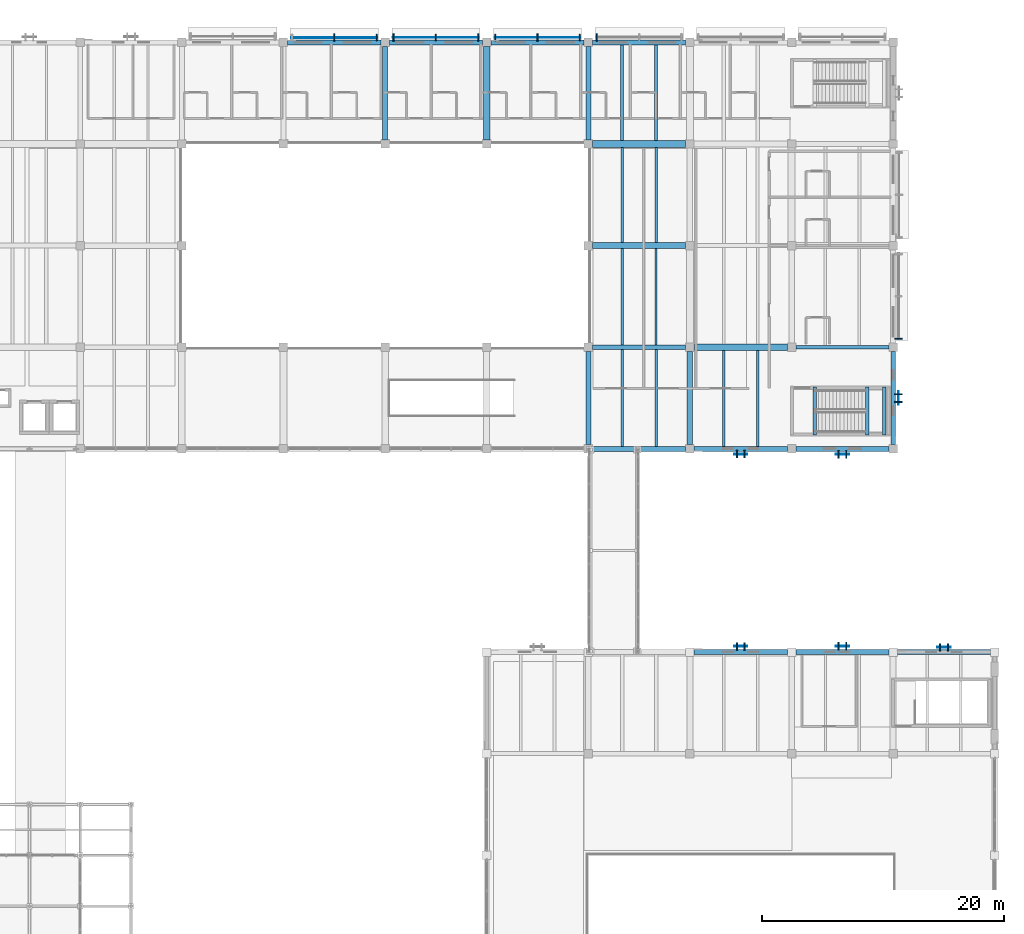
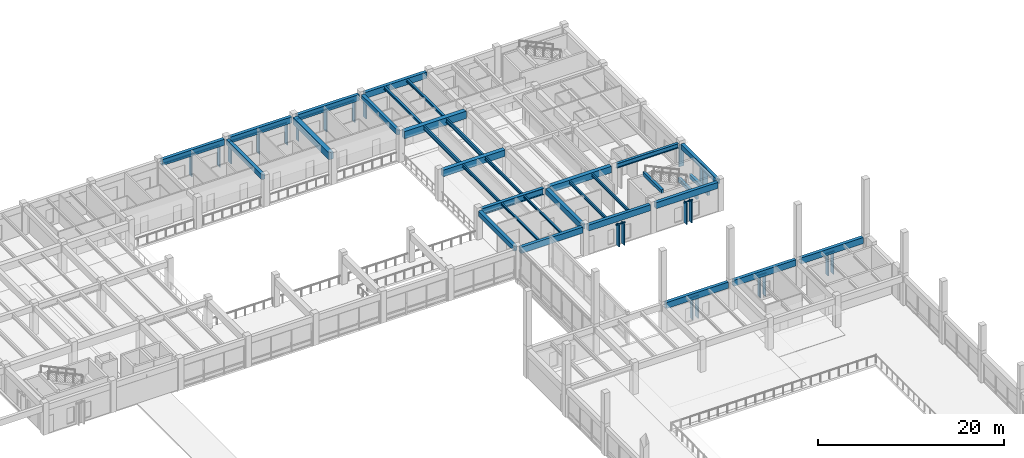
# One storey, part 59 of 132: 34 beams, 31 members, 11 elements without a shape of their own.
"""IFC4 building model written with IfcOpenShell, lengths in metres."""

from ifc_helpers import new_model, si_unit, direction, frame, origin, origin_2d, place, context, subcontext, project, spatial, rectangle, i_section, extrude, material, material_profile, profile_set, type_object, element, aggregate, save


model = new_model("IFC4")

# Units and contexts
model_context = context("Model", 3, precision=1e-05, world=origin(), true_north=direction((0.0, 1.0)))
body_context = subcontext(model_context, "Body", "Model", "MODEL_VIEW")
ifc_project = project(units=[si_unit("LENGTHUNIT", "METRE"), si_unit("AREAUNIT", "SQUARE_METRE"), si_unit("VOLUMEUNIT", "CUBIC_METRE"), si_unit("PLANEANGLEUNIT", "RADIAN"), si_unit("MASSUNIT", "GRAM", prefix="KILO")], contexts=[model_context])

# Site, building, storey
site_placement = place(None, origin())
site = spatial("IfcSite", under=ifc_project, at=site_placement, CompositionType="ELEMENT")
building_placement = place(site_placement, origin())
building = spatial("IfcBuilding", under=site, at=building_placement, Name="Cumbredor Promenade Congress Hotel", CompositionType="ELEMENT")
storey_placement = place(building_placement, frame((0.0, 0.0, 7.56005859375)))
storey = spatial("IfcBuildingStorey", under=building, at=storey_placement, Name="L02", CompositionType="ELEMENT", Elevation=7.56005859375)

# Beams
ifc_material_1 = material(Name="Concrete C40/50", Category="concrete")
ifc_material_profile_1 = material_profile(ifc_material_1, rectangle(XDim=0.39990234375, YDim=0.64990234375, at=origin_2d()), Name="RC BEAM 400x650")
ifc_profile_set_1 = profile_set([ifc_material_profile_1], Name="Concrete C40/50")
beam_type_1 = type_object("IfcBeamType", Name="BM-RC-400x650", PredefinedType="BEAM", material=ifc_profile_set_1)
for number, where, z_axis, x_axis, name in (
    (1, (134.39990234375, 109.550048828125, 3.474853515625), (0.0, 1.0, 0.0), (-1.0, 0.0, 0.0), "L03 Y-Grid Beam 184"),
    (2, (151.199951171875, 84.35009765625, 3.474853515625), (0.0, 1.0, 0.0), (-1.0, 0.0, 0.0), "L03 Y-Grid Beam 208"),
    (3, (151.199951171875, 109.550048828125, 3.474853515625), (0.0, 1.0, 0.0), (-1.0, 0.0, 0.0), "L03 Y-Grid Beam 212"),
    (4, (176.39990234375, 84.35009765625, 3.474853515625), (0.0, 1.0, 0.0), (-1.0, 0.0, 0.0), "L03 Y-Grid Beam 248"),
):
    element("IfcBeam", number, at=place(storey_placement, frame(where, z_axis=z_axis, x_axis=x_axis)), inside=storey, type_object=beam_type_1, Name=name, PredefinedType="BEAM", context=body_context, shape_type="SweptSolid", body=[
        extrude(rectangle(XDim=0.39990234375, YDim=0.64990234375, at=origin_2d()), origin(), (0.0, 0.0, 1.0), 7.699951171875),
    ])
ifc_material_profile_2 = material_profile(ifc_material_1, rectangle(XDim=0.449951171875, YDim=0.75, at=origin_2d()), Name="RC BEAM 450x750")
ifc_profile_set_2 = profile_set([ifc_material_profile_2], Name="Concrete C40/50")
beam_type_2 = type_object("IfcBeamType", Name="BM-RC-450x750", PredefinedType="BEAM", material=ifc_profile_set_2)
beam_1_placement = place(storey_placement, frame((159.60009765625, 84.35009765625, 3.425048828125), z_axis=(0.0, 1.0, 0.0), x_axis=(-1.0, 0.0, 0.0)))
element("IfcBeam", 5, at=beam_1_placement, inside=storey, type_object=beam_type_2, Name="L03 Y-Grid Beam 221", PredefinedType="BEAM", context=body_context, shape_type="SweptSolid", body=[
    extrude(rectangle(XDim=0.449951171875, YDim=0.75, at=origin_2d()), origin(), (0.0, 0.0, 1.0), 7.699951171875),
])
ifc_material_profile_3 = material_profile(ifc_material_1, rectangle(XDim=0.5, YDim=0.85009765625, at=origin_2d()), Name="RC BEAM 500x850")
ifc_profile_set_3 = profile_set([ifc_material_profile_3], Name="Concrete C40/50")
beam_type_3 = type_object("IfcBeamType", Name="BM-RC-500x850", PredefinedType="BEAM", material=ifc_profile_set_3)
for number, where, z_axis, x_axis, name in (
    (6, (151.550048828125, 100.800048828125, 3.375), (1.0, 0.0, 0.0), (0.0, 1.0, 0.0), "L03 X-Grid Beam 210"),
    (7, (159.949951171875, 92.39990234375, 3.375), (1.0, 0.0, 0.0), (0.0, 1.0, 0.0), "L03 X-Grid Beam 222"),
):
    element("IfcBeam", number, at=place(storey_placement, frame(where, z_axis=z_axis, x_axis=x_axis)), inside=storey, type_object=beam_type_3, Name=name, PredefinedType="BEAM", context=body_context, shape_type="SweptSolid", body=[
        extrude(rectangle(XDim=0.5, YDim=0.85009765625, at=origin_2d()), origin(), (0.0, 0.0, 1.0), 7.699951171875),
    ])
ifc_material_profile_4 = material_profile(ifc_material_1, rectangle(XDim=0.550048828125, YDim=0.949951171875, at=origin_2d()), Name="RC BEAM 550x950")
ifc_profile_set_4 = profile_set([ifc_material_profile_4], Name="Concrete C40/50")
beam_type_4 = type_object("IfcBeamType", Name="BM-RC-550x950", PredefinedType="BEAM", material=ifc_profile_set_4)
for number, where, z_axis, x_axis, name in (
    (8, (142.800048828125, 109.550048828125, 3.324951171875), (0.0, 1.0, 0.0), (-1.0, 0.0, 0.0), "L03 Y-Grid Beam 199"),
    (9, (151.550048828125, 109.199951171875, 3.324951171875), (1.0, 0.0, 0.0), (0.0, 1.0, 0.0), "L03 X-Grid Beam 211"),
):
    element("IfcBeam", number, at=place(storey_placement, frame(where, z_axis=z_axis, x_axis=x_axis)), inside=storey, type_object=beam_type_4, Name=name, PredefinedType="BEAM", context=body_context, shape_type="SweptSolid", body=[
        extrude(rectangle(XDim=0.550048828125, YDim=0.949951171875, at=origin_2d()), origin(), (0.0, 0.0, 1.0), 7.699951171875),
    ])
ifc_material_2 = material(Name="Steel ASTM A992 Grade 50", Category="steel")
ifc_material_profile_5 = material_profile(ifc_material_2, i_section(OverallWidth=0.323974609375, OverallDepth=0.611083984375, WebThickness=0.0126953125, FlangeThickness=0.01904296875, at=origin_2d()), Name="W24X104")
ifc_profile_set_5 = profile_set([ifc_material_profile_5], Name="Steel ASTM A992 Grade 50")
beam_type_5 = type_object("IfcBeamType", Name="BM-W24X104", PredefinedType="BEAM", material=ifc_profile_set_5)
beam_2_placement = place(storey_placement, frame((168.35009765625, 92.39990234375, 3.494384765625), z_axis=(1.0, 0.0, 0.0), x_axis=(0.0, 1.0, 0.0)))
element("IfcBeam", 10, at=beam_2_placement, inside=storey, type_object=beam_type_5, Name="L03 X-Grid Beam 236", PredefinedType="BEAM", context=body_context, shape_type="SweptSolid", body=[
    extrude(i_section(OverallWidth=0.323974609375, OverallDepth=0.611083984375, WebThickness=0.0126953125, FlangeThickness=0.01904296875, at=origin_2d()), origin(), (0.0, 0.0, 1.0), 7.699951171875),
])
ifc_material_profile_6 = material_profile(ifc_material_2, i_section(OverallWidth=0.39990234375, OverallDepth=0.85498046875, WebThickness=0.018310546875, FlangeThickness=0.029296875, at=origin_2d()), Name="W33X201")
ifc_profile_set_6 = profile_set([ifc_material_profile_6], Name="Steel ASTM A992 Grade 50")
beam_type_6 = type_object("IfcBeamType", Name="BM-W33X201", PredefinedType="BEAM", material=ifc_profile_set_6)
beam_3_placement = place(storey_placement, frame((151.550048828125, 92.39990234375, 3.37255859375), z_axis=(1.0, 0.0, 0.0), x_axis=(0.0, 1.0, 0.0)))
element("IfcBeam", 11, at=beam_3_placement, inside=storey, type_object=beam_type_6, Name="L03 X-Grid Beam 209", PredefinedType="BEAM", context=body_context, shape_type="SweptSolid", body=[
    extrude(i_section(OverallWidth=0.39990234375, OverallDepth=0.85498046875, WebThickness=0.018310546875, FlangeThickness=0.029296875, at=origin_2d()), origin(), (0.0, 0.0, 1.0), 7.699951171875),
])

# Curtain wall, member
ifc_material_3 = material(Name="Thermally broken anodized aluminium and low-E glass", Category="aluminium")
curtain_wall_type = type_object("IfcCurtainWallType", Name="Solar Brise-Soleil Screen Assembly CW-07", PredefinedType="NOTDEFINED", material=ifc_material_3)
curtain_wall_1_placement = place(storey_placement, origin())
curtain_wall_1 = element("IfcCurtainWall", 12, at=curtain_wall_1_placement, inside=storey, type_object=curtain_wall_type, Name="L02 Pier Brise-Soleil Screen 0379", PredefinedType="NOTDEFINED")
ifc_material_4 = material(Name="Thermally broken anodized aluminium", Category="aluminium")
ifc_material_profile_7 = material_profile(ifc_material_4, rectangle(XDim=0.06494140625, YDim=0.1298828125, at=origin_2d()), Name="ALU TRANSOM 65x130")
ifc_profile_set_7 = profile_set([ifc_material_profile_7], Name="Thermally broken anodized aluminium")
member_type_1 = type_object("IfcMemberType", Name="Curtain Wall Transom TR-01", PredefinedType="USERDEFINED", material=ifc_profile_set_7)
member_1_placement = place(storey_placement, frame((163.25, 67.672607421875, 2.824951171875), z_axis=(1.0, 0.0, 0.0), x_axis=(0.0, 1.0, 0.0)))
member_1 = element("IfcMember", 13, at=member_1_placement, type_object=member_type_1, Name="L02 Pier Brise-Soleil Header 0381", ObjectType="TRANSOM", PredefinedType="USERDEFINED", context=body_context, shape_type="SweptSolid", body=[
    extrude(rectangle(XDim=0.06494140625, YDim=0.1298828125, at=origin_2d()), origin(), (0.0, 0.0, 1.0), 1.10009765625),
])

curtain_wall_2_placement = place(storey_placement, origin())
curtain_wall_2 = element("IfcCurtainWall", 14, at=curtain_wall_2_placement, inside=storey, type_object=curtain_wall_type, Name="L02 Pier Brise-Soleil Screen 0382", PredefinedType="NOTDEFINED")
member_2_placement = place(storey_placement, frame((171.64990234375, 67.68505859375, 2.824951171875), z_axis=(1.0, 0.0, 0.0), x_axis=(0.0, 1.0, 0.0)))
member_2 = element("IfcMember", 15, at=member_2_placement, type_object=member_type_1, Name="L02 Pier Brise-Soleil Header 0384", ObjectType="TRANSOM", PredefinedType="USERDEFINED", context=body_context, shape_type="SweptSolid", body=[
    extrude(rectangle(XDim=0.06494140625, YDim=0.1298828125, at=origin_2d()), origin(), (0.0, 0.0, 1.0), 1.10009765625),
])

curtain_wall_3_placement = place(storey_placement, origin())
curtain_wall_3 = element("IfcCurtainWall", 16, at=curtain_wall_3_placement, inside=storey, type_object=curtain_wall_type, Name="L02 Pier Brise-Soleil Screen 0385", PredefinedType="NOTDEFINED")
member_3_placement = place(storey_placement, frame((180.050048828125, 67.590087890625, 2.824951171875), z_axis=(1.0, 0.0, 0.0), x_axis=(0.0, 1.0, 0.0)))
member_3 = element("IfcMember", 17, at=member_3_placement, type_object=member_type_1, Name="L02 Pier Brise-Soleil Header 0387", ObjectType="TRANSOM", PredefinedType="USERDEFINED", context=body_context, shape_type="SweptSolid", body=[
    extrude(rectangle(XDim=0.06494140625, YDim=0.1298828125, at=origin_2d()), origin(), (0.0, 0.0, 1.0), 1.099853515625),
])

curtain_wall_4_placement = place(storey_placement, origin())
curtain_wall_4 = element("IfcCurtainWall", 18, at=curtain_wall_4_placement, inside=storey, type_object=curtain_wall_type, Name="L02 Pier Brise-Soleil Screen 0397", PredefinedType="NOTDEFINED")
member_4_placement = place(storey_placement, frame((163.25, 83.56494140625, 2.824951171875), z_axis=(1.0, 0.0, 0.0), x_axis=(0.0, 1.0, 0.0)))
member_4 = element("IfcMember", 19, at=member_4_placement, type_object=member_type_1, Name="L02 Pier Brise-Soleil Header 0399", ObjectType="TRANSOM", PredefinedType="USERDEFINED", context=body_context, shape_type="SweptSolid", body=[
    extrude(rectangle(XDim=0.06494140625, YDim=0.1298828125, at=origin_2d()), origin(), (0.0, 0.0, 1.0), 1.10009765625),
])

curtain_wall_5_placement = place(storey_placement, origin())
curtain_wall_5 = element("IfcCurtainWall", 20, at=curtain_wall_5_placement, inside=storey, type_object=curtain_wall_type, Name="L02 Pier Brise-Soleil Screen 0400", PredefinedType="NOTDEFINED")
member_5_placement = place(storey_placement, frame((171.64990234375, 83.550048828125, 2.824951171875), z_axis=(1.0, 0.0, 0.0), x_axis=(0.0, 1.0, 0.0)))
member_5 = element("IfcMember", 21, at=member_5_placement, type_object=member_type_1, Name="L02 Pier Brise-Soleil Header 0402", ObjectType="TRANSOM", PredefinedType="USERDEFINED", context=body_context, shape_type="SweptSolid", body=[
    extrude(rectangle(XDim=0.06494140625, YDim=0.1298828125, at=origin_2d()), origin(), (0.0, 0.0, 1.0), 1.10009765625),
])

curtain_wall_6_placement = place(storey_placement, origin())
curtain_wall_6 = element("IfcCurtainWall", 22, at=curtain_wall_6_placement, inside=storey, type_object=curtain_wall_type, Name="L02 Hospitality Brise-Soleil Screen 031", PredefinedType="NOTDEFINED")
member_6_placement = place(storey_placement, frame((126.65087890625, 117.989990234375, 2.804931640625), z_axis=(1.0, 0.0, 0.0), x_axis=(0.0, 1.0, 0.0)))
member_6 = element("IfcMember", 23, at=member_6_placement, type_object=member_type_1, Name="L02 Brise-Soleil Screen Transom 031", ObjectType="TRANSOM", PredefinedType="USERDEFINED", context=body_context, shape_type="SweptSolid", body=[
    extrude(rectangle(XDim=0.06494140625, YDim=0.1298828125, at=origin_2d()), origin(), (0.0, 0.0, 1.0), 7.09814453125),
])

curtain_wall_7_placement = place(storey_placement, origin())
curtain_wall_7 = element("IfcCurtainWall", 24, at=curtain_wall_7_placement, inside=storey, type_object=curtain_wall_type, Name="L02 Hospitality Brise-Soleil Screen 032", PredefinedType="NOTDEFINED")
member_7_placement = place(storey_placement, frame((135.051025390625, 118.0, 2.804931640625), z_axis=(1.0, 0.0, 0.0), x_axis=(0.0, 1.0, 0.0)))
member_7 = element("IfcMember", 25, at=member_7_placement, type_object=member_type_1, Name="L02 Brise-Soleil Screen Transom 032", ObjectType="TRANSOM", PredefinedType="USERDEFINED", context=body_context, shape_type="SweptSolid", body=[
    extrude(rectangle(XDim=0.06494140625, YDim=0.1298828125, at=origin_2d()), origin(), (0.0, 0.0, 1.0), 7.097900390625),
])

curtain_wall_8_placement = place(storey_placement, origin())
curtain_wall_8 = element("IfcCurtainWall", 26, at=curtain_wall_8_placement, inside=storey, type_object=curtain_wall_type, Name="L02 Hospitality Brise-Soleil Screen 033", PredefinedType="NOTDEFINED")
member_8_placement = place(storey_placement, frame((143.450927734375, 118.010009765625, 2.804931640625), z_axis=(1.0, 0.0, 0.0), x_axis=(0.0, 1.0, 0.0)))
member_8 = element("IfcMember", 27, at=member_8_placement, type_object=member_type_1, Name="L02 Brise-Soleil Screen Transom 033", ObjectType="TRANSOM", PredefinedType="USERDEFINED", context=body_context, shape_type="SweptSolid", body=[
    extrude(rectangle(XDim=0.06494140625, YDim=0.1298828125, at=origin_2d()), origin(), (0.0, 0.0, 1.0), 7.09814453125),
])

curtain_wall_9_placement = place(storey_placement, origin())
curtain_wall_9 = element("IfcCurtainWall", 28, at=curtain_wall_9_placement, inside=storey, type_object=curtain_wall_type, Name="L02 Pier Brise-Soleil Screen 0439", PredefinedType="NOTDEFINED")
member_9_placement = place(storey_placement, frame((176.8349609375, 87.64990234375, 2.974853515625), z_axis=(0.0, 1.0, 0.0), x_axis=(-1.0, 0.0, 0.0)))
member_9 = element("IfcMember", 29, at=member_9_placement, type_object=member_type_1, Name="L02 Pier Brise-Soleil Header 0441", ObjectType="TRANSOM", PredefinedType="USERDEFINED", context=body_context, shape_type="SweptSolid", body=[
    extrude(rectangle(XDim=0.06494140625, YDim=0.1298828125, at=origin_2d()), origin(), (0.0, 0.0, 1.0), 1.10009765625),
])

# Beams
ifc_material_profile_8 = material_profile(ifc_material_2, i_section(OverallWidth=0.202880859375, OverallDepth=0.302978515625, WebThickness=0.007568359375, FlangeThickness=0.01318359375, at=origin_2d()), Name="W12X40")
ifc_profile_set_8 = profile_set([ifc_material_profile_8], Name="Steel ASTM A992 Grade 50")
beam_type_7 = type_object("IfcBeamType", Name="JST-W12X40", PredefinedType="JOIST", material=ifc_profile_set_8)
for number, where, z_axis, x_axis, name in (
    (30, (154.0, 84.199951171875, 3.6484375), (0.0, 1.0, 0.0), (-1.0, 0.0, 0.0), "L03 Secondary Floor Joist 0116"),
    (31, (156.800048828125, 84.199951171875, 3.6484375), (0.0, 1.0, 0.0), (-1.0, 0.0, 0.0), "L03 Secondary Floor Joist 0117"),
):
    element("IfcBeam", number, at=place(storey_placement, frame(where, z_axis=z_axis, x_axis=x_axis)), inside=storey, type_object=beam_type_7, Name=name, PredefinedType="JOIST", context=body_context, shape_type="SweptSolid", body=[
        extrude(i_section(OverallWidth=0.202880859375, OverallDepth=0.302978515625, WebThickness=0.007568359375, FlangeThickness=0.01318359375, at=origin_2d()), origin(), (0.0, 0.0, 1.0), 8.0),
    ])
ifc_material_profile_9 = material_profile(ifc_material_2, i_section(OverallWidth=0.2548828125, OverallDepth=0.35693359375, WebThickness=0.010498046875, FlangeThickness=0.018310546875, at=origin_2d()), Name="W14X68")
ifc_profile_set_9 = profile_set([ifc_material_profile_9], Name="Steel ASTM A992 Grade 50")
beam_type_8 = type_object("IfcBeamType", Name="JST-W14X68", PredefinedType="JOIST", material=ifc_profile_set_9)
for number, where, z_axis, x_axis, name in (
    (32, (154.0, 109.47509765625, 3.621337890625), (0.0, 1.0, 0.0), (-1.0, 0.0, 0.0), "L03 Secondary Floor Joist 0122"),
    (33, (156.800048828125, 109.47509765625, 3.621337890625), (0.0, 1.0, 0.0), (-1.0, 0.0, 0.0), "L03 Secondary Floor Joist 0123"),
):
    element("IfcBeam", number, at=place(storey_placement, frame(where, z_axis=z_axis, x_axis=x_axis)), inside=storey, type_object=beam_type_8, Name=name, PredefinedType="JOIST", context=body_context, shape_type="SweptSolid", body=[
        extrude(i_section(OverallWidth=0.2548828125, OverallDepth=0.35693359375, WebThickness=0.010498046875, FlangeThickness=0.018310546875, at=origin_2d()), origin(), (0.0, 0.0, 1.0), 7.9248046875),
    ])
ifc_material_profile_10 = material_profile(ifc_material_2, i_section(OverallWidth=0.180908203125, OverallDepth=0.4169921875, WebThickness=0.010986328125, FlangeThickness=0.018310546875, at=origin_2d()), Name="W16X57")
ifc_profile_set_10 = profile_set([ifc_material_profile_10], Name="Steel ASTM A992 Grade 50")
beam_type_9 = type_object("IfcBeamType", Name="JST-W16X57", PredefinedType="JOIST", material=ifc_profile_set_10)
for number, where, z_axis, x_axis, name in (
    (34, (154.0, 92.60009765625, 3.591552734375), (0.0, 1.0, 0.0), (-1.0, 0.0, 0.0), "L03 Secondary Floor Joist 0118"),
    (35, (156.800048828125, 92.60009765625, 3.591552734375), (0.0, 1.0, 0.0), (-1.0, 0.0, 0.0), "L03 Secondary Floor Joist 0119"),
    (36, (162.39990234375, 84.199951171875, 3.591552734375), (0.0, 1.0, 0.0), (-1.0, 0.0, 0.0), "L03 Secondary Floor Joist 0128"),
    (37, (165.199951171875, 84.199951171875, 3.591552734375), (0.0, 1.0, 0.0), (-1.0, 0.0, 0.0), "L03 Secondary Floor Joist 0129"),
):
    element("IfcBeam", number, at=place(storey_placement, frame(where, z_axis=z_axis, x_axis=x_axis)), inside=storey, type_object=beam_type_9, Name=name, PredefinedType="JOIST", context=body_context, shape_type="SweptSolid", body=[
        extrude(i_section(OverallWidth=0.180908203125, OverallDepth=0.4169921875, WebThickness=0.010986328125, FlangeThickness=0.018310546875, at=origin_2d()), origin(), (0.0, 0.0, 1.0), 7.949951171875),
    ])
ifc_material_profile_11 = material_profile(ifc_material_2, i_section(OverallWidth=0.214111328125, OverallDepth=0.549072265625, WebThickness=0.0146484375, FlangeThickness=0.023681640625, at=origin_2d()), Name="W21X93")
ifc_profile_set_11 = profile_set([ifc_material_profile_11], Name="Steel ASTM A992 Grade 50")
beam_type_10 = type_object("IfcBeamType", Name="JST-W21X93", PredefinedType="JOIST", material=ifc_profile_set_11)
for number, where, z_axis, x_axis, name in (
    (38, (154.0, 101.050048828125, 3.525390625), (0.0, 1.0, 0.0), (-1.0, 0.0, 0.0), "L03 Secondary Floor Joist 0120"),
    (39, (156.800048828125, 101.050048828125, 3.525390625), (0.0, 1.0, 0.0), (-1.0, 0.0, 0.0), "L03 Secondary Floor Joist 0121"),
):
    element("IfcBeam", number, at=place(storey_placement, frame(where, z_axis=z_axis, x_axis=x_axis)), inside=storey, type_object=beam_type_10, Name=name, PredefinedType="JOIST", context=body_context, shape_type="SweptSolid", body=[
        extrude(i_section(OverallWidth=0.214111328125, OverallDepth=0.549072265625, WebThickness=0.0146484375, FlangeThickness=0.023681640625, at=origin_2d()), origin(), (0.0, 0.0, 1.0), 7.875),
    ])
ifc_material_profile_12 = material_profile(ifc_material_1, rectangle(XDim=0.300048828125, YDim=0.5, at=origin_2d()), Name="RC LINTEL 300x500")
ifc_profile_set_12 = profile_set([ifc_material_profile_12], Name="Concrete C40/50")
beam_type_11 = type_object("IfcBeamType", Name="LN-RC-300x500", PredefinedType="LINTEL", material=ifc_profile_set_12)
for number, where, z_axis, x_axis, name in (
    (40, (175.669921875, 85.1298828125, 1.64990234375), (0.0, 1.0, 0.0), (-1.0, 0.0, 0.0), "L02 Stair ST-14 Landing Ledger Beam E"),
    (41, (174.27001953125, 85.1298828125, 1.64990234375), (0.0, 1.0, 0.0), (-1.0, 0.0, 0.0), "L02 Stair ST-14 Landing Ledger Beam W"),
    (42, (169.919921875, 85.1298828125, 3.949951171875), (0.0, 1.0, 0.0), (-1.0, 0.0, 0.0), "L03 Stair ST-14 Well Header Trimmer Beam"),
):
    element("IfcBeam", number, at=place(storey_placement, frame(where, z_axis=z_axis, x_axis=x_axis)), inside=storey, type_object=beam_type_11, Name=name, PredefinedType="LINTEL", context=body_context, shape_type="SweptSolid", body=[
        extrude(rectangle(XDim=0.300048828125, YDim=0.5, at=origin_2d()), origin(), (0.0, 0.0, 1.0), 3.97021484375),
    ])
ifc_material_profile_13 = material_profile(ifc_material_1, rectangle(XDim=0.39990234375, YDim=0.800048828125, at=origin_2d()), Name="RC SPANDREL 400x800")
ifc_profile_set_13 = profile_set([ifc_material_profile_13], Name="Concrete C40/50")
beam_type_12 = type_object("IfcBeamType", Name="SP-RC-400x800", PredefinedType="SPANDREL", material=ifc_profile_set_13)
for number, where, z_axis, x_axis, name in (
    (43, (126.35009765625, 117.60009765625, 3.39990234375), (1.0, 0.0, 0.0), (0.0, 1.0, 0.0), "L03 X-Grid Beam 181"),
    (44, (134.75, 117.60009765625, 3.39990234375), (1.0, 0.0, 0.0), (0.0, 1.0, 0.0), "L03 X-Grid Beam 185"),
):
    element("IfcBeam", number, at=place(storey_placement, frame(where, z_axis=z_axis, x_axis=x_axis)), inside=storey, type_object=beam_type_12, Name=name, PredefinedType="SPANDREL", context=body_context, shape_type="SweptSolid", body=[
        extrude(rectangle(XDim=0.39990234375, YDim=0.800048828125, at=origin_2d()), origin(), (0.0, 0.0, 1.0), 7.699951171875),
    ])
beam_4_placement = place(storey_placement, frame((143.14990234375, 117.60009765625, 3.39990234375), z_axis=(1.0, 0.0, 0.0), x_axis=(0.0, 1.0, 0.0)))
element("IfcBeam", 45, at=beam_4_placement, inside=storey, type_object=beam_type_12, Name="L03 X-Grid Beam 200", PredefinedType="SPANDREL", context=body_context, shape_type="SweptSolid", body=[
    extrude(rectangle(XDim=0.39990234375, YDim=0.800048828125, at=origin_2d()), origin(), (0.0, 0.0, 1.0), 7.7001953125),
])
for number, where, z_axis, x_axis, name in (
    (46, (151.550048828125, 84.0, 3.39990234375), (1.0, 0.0, 0.0), (0.0, 1.0, 0.0), "L03 X-Grid Beam 207"),
    (47, (151.550048828125, 117.60009765625, 3.39990234375), (1.0, 0.0, 0.0), (0.0, 1.0, 0.0), "L03 X-Grid Beam 213"),
    (48, (159.949951171875, 67.199951171875, 3.39990234375), (1.0, 0.0, 0.0), (0.0, 1.0, 0.0), "L03 X-Grid Beam 219"),
    (49, (159.949951171875, 84.0, 3.39990234375), (1.0, 0.0, 0.0), (0.0, 1.0, 0.0), "L03 X-Grid Beam 220"),
    (50, (168.35009765625, 67.199951171875, 3.39990234375), (1.0, 0.0, 0.0), (0.0, 1.0, 0.0), "L03 X-Grid Beam 234"),
    (51, (168.35009765625, 84.0, 3.39990234375), (1.0, 0.0, 0.0), (0.0, 1.0, 0.0), "L03 X-Grid Beam 235"),
    (52, (176.75, 67.199951171875, 3.39990234375), (1.0, 0.0, 0.0), (0.0, 1.0, 0.0), "L03 X-Grid Beam 247"),
):
    element("IfcBeam", number, at=place(storey_placement, frame(where, z_axis=z_axis, x_axis=x_axis)), inside=storey, type_object=beam_type_12, Name=name, PredefinedType="SPANDREL", context=body_context, shape_type="SweptSolid", body=[
        extrude(rectangle(XDim=0.39990234375, YDim=0.800048828125, at=origin_2d()), origin(), (0.0, 0.0, 1.0), 7.699951171875),
    ])

# Member
ifc_material_profile_14 = material_profile(ifc_material_4, rectangle(XDim=0.110107421875, YDim=0.6201171875, at=origin_2d()), Name="ARCH FIN 110x620")
ifc_profile_set_14 = profile_set([ifc_material_profile_14], Name="Thermally broken anodized aluminium")
member_type_2 = type_object("IfcMemberType", Name="Vertical Bronze Brise-Soleil Fin BSF-02 110x620", PredefinedType="USERDEFINED", material=ifc_profile_set_14)
member_10_placement = place(storey_placement, frame((163.47998046875, 67.672607421875, 0.02001953125), z_axis=(0.0, 0.0, 1.0), x_axis=(1.0, 0.0, 0.0)))
member_10 = element("IfcMember", 53, at=member_10_placement, type_object=member_type_2, Name="L02 Pier Brise-Soleil Fin 0380", ObjectType="SOLAR FIN", PredefinedType="USERDEFINED", context=body_context, shape_type="SweptSolid", body=[
    extrude(rectangle(XDim=0.110107421875, YDim=0.6201171875, at=origin_2d()), origin(), (0.0, 0.0, 1.0), 2.844970703125),
])

member_11_placement = place(storey_placement, frame((164.1201171875, 67.672607421875, 0.02001953125), z_axis=(0.0, 0.0, 1.0), x_axis=(1.0, 0.0, 0.0)))
member_11 = element("IfcMember", 54, at=member_11_placement, type_object=member_type_2, Name="L02 Pier Brise-Soleil Fin 0381", ObjectType="SOLAR FIN", PredefinedType="USERDEFINED", context=body_context, shape_type="SweptSolid", body=[
    extrude(rectangle(XDim=0.110107421875, YDim=0.6201171875, at=origin_2d()), origin(), (0.0, 0.0, 1.0), 2.844970703125),
])

aggregate(curtain_wall_1, [member_10, member_11, member_1])

member_12_placement = place(storey_placement, frame((171.8798828125, 67.68505859375, 0.02001953125), z_axis=(0.0, 0.0, 1.0), x_axis=(1.0, 0.0, 0.0)))
member_12 = element("IfcMember", 55, at=member_12_placement, type_object=member_type_2, Name="L02 Pier Brise-Soleil Fin 0383", ObjectType="SOLAR FIN", PredefinedType="USERDEFINED", context=body_context, shape_type="SweptSolid", body=[
    extrude(rectangle(XDim=0.110107421875, YDim=0.6201171875, at=origin_2d()), origin(), (0.0, 0.0, 1.0), 2.844970703125),
])

member_13_placement = place(storey_placement, frame((172.52001953125, 67.68505859375, 0.02001953125), z_axis=(0.0, 0.0, 1.0), x_axis=(1.0, 0.0, 0.0)))
member_13 = element("IfcMember", 56, at=member_13_placement, type_object=member_type_2, Name="L02 Pier Brise-Soleil Fin 0384", ObjectType="SOLAR FIN", PredefinedType="USERDEFINED", context=body_context, shape_type="SweptSolid", body=[
    extrude(rectangle(XDim=0.110107421875, YDim=0.6201171875, at=origin_2d()), origin(), (0.0, 0.0, 1.0), 2.844970703125),
])

aggregate(curtain_wall_2, [member_12, member_13, member_2])

member_14_placement = place(storey_placement, frame((180.280029296875, 67.590087890625, 0.02001953125), z_axis=(0.0, 0.0, 1.0), x_axis=(1.0, 0.0, 0.0)))
member_14 = element("IfcMember", 57, at=member_14_placement, type_object=member_type_2, Name="L02 Pier Brise-Soleil Fin 0386", ObjectType="SOLAR FIN", PredefinedType="USERDEFINED", context=body_context, shape_type="SweptSolid", body=[
    extrude(rectangle(XDim=0.110107421875, YDim=0.6201171875, at=origin_2d()), origin(), (0.0, 0.0, 1.0), 2.844970703125),
])

member_15_placement = place(storey_placement, frame((180.919921875, 67.590087890625, 0.02001953125), z_axis=(0.0, 0.0, 1.0), x_axis=(1.0, 0.0, 0.0)))
member_15 = element("IfcMember", 58, at=member_15_placement, type_object=member_type_2, Name="L02 Pier Brise-Soleil Fin 0387", ObjectType="SOLAR FIN", PredefinedType="USERDEFINED", context=body_context, shape_type="SweptSolid", body=[
    extrude(rectangle(XDim=0.110107421875, YDim=0.6201171875, at=origin_2d()), origin(), (0.0, 0.0, 1.0), 2.844970703125),
])

aggregate(curtain_wall_3, [member_14, member_15, member_3])

member_16_placement = place(storey_placement, frame((163.47998046875, 83.56494140625, 0.02001953125), z_axis=(0.0, 0.0, 1.0), x_axis=(1.0, 0.0, 0.0)))
member_16 = element("IfcMember", 59, at=member_16_placement, type_object=member_type_2, Name="L02 Pier Brise-Soleil Fin 0398", ObjectType="SOLAR FIN", PredefinedType="USERDEFINED", context=body_context, shape_type="SweptSolid", body=[
    extrude(rectangle(XDim=0.110107421875, YDim=0.6201171875, at=origin_2d()), origin(), (0.0, 0.0, 1.0), 2.844970703125),
])

member_17_placement = place(storey_placement, frame((164.1201171875, 83.56494140625, 0.02001953125), z_axis=(0.0, 0.0, 1.0), x_axis=(1.0, 0.0, 0.0)))
member_17 = element("IfcMember", 60, at=member_17_placement, type_object=member_type_2, Name="L02 Pier Brise-Soleil Fin 0399", ObjectType="SOLAR FIN", PredefinedType="USERDEFINED", context=body_context, shape_type="SweptSolid", body=[
    extrude(rectangle(XDim=0.110107421875, YDim=0.6201171875, at=origin_2d()), origin(), (0.0, 0.0, 1.0), 2.844970703125),
])

aggregate(curtain_wall_4, [member_16, member_17, member_4])

member_18_placement = place(storey_placement, frame((171.8798828125, 83.550048828125, 0.02001953125), z_axis=(0.0, 0.0, 1.0), x_axis=(1.0, 0.0, 0.0)))
member_18 = element("IfcMember", 61, at=member_18_placement, type_object=member_type_2, Name="L02 Pier Brise-Soleil Fin 0401", ObjectType="SOLAR FIN", PredefinedType="USERDEFINED", context=body_context, shape_type="SweptSolid", body=[
    extrude(rectangle(XDim=0.110107421875, YDim=0.6201171875, at=origin_2d()), origin(), (0.0, 0.0, 1.0), 2.844970703125),
])

member_19_placement = place(storey_placement, frame((172.52001953125, 83.550048828125, 0.02001953125), z_axis=(0.0, 0.0, 1.0), x_axis=(1.0, 0.0, 0.0)))
member_19 = element("IfcMember", 62, at=member_19_placement, type_object=member_type_2, Name="L02 Pier Brise-Soleil Fin 0402", ObjectType="SOLAR FIN", PredefinedType="USERDEFINED", context=body_context, shape_type="SweptSolid", body=[
    extrude(rectangle(XDim=0.110107421875, YDim=0.6201171875, at=origin_2d()), origin(), (0.0, 0.0, 1.0), 2.844970703125),
])

aggregate(curtain_wall_5, [member_18, member_19, member_5])

member_20_placement = place(storey_placement, frame((130.199951171875, 117.989990234375, 0.02001953125), z_axis=(0.0, 0.0, 1.0), x_axis=(1.0, 0.0, 0.0)))
member_20 = element("IfcMember", 63, at=member_20_placement, type_object=member_type_2, Name="L02 Vertical Brise-Soleil Fin 0416", ObjectType="SOLAR FIN", PredefinedType="USERDEFINED", context=body_context, shape_type="SweptSolid", body=[
    extrude(rectangle(XDim=0.110107421875, YDim=0.6201171875, at=origin_2d()), origin(), (0.0, 0.0, 1.0), 2.844970703125),
])

member_21_placement = place(storey_placement, frame((135.10107421875, 118.0, 0.02001953125), z_axis=(0.0, 0.0, 1.0), x_axis=(1.0, 0.0, 0.0)))
member_21 = element("IfcMember", 64, at=member_21_placement, type_object=member_type_2, Name="L02 Vertical Brise-Soleil Fin 0418", ObjectType="SOLAR FIN", PredefinedType="USERDEFINED", context=body_context, shape_type="SweptSolid", body=[
    extrude(rectangle(XDim=0.110107421875, YDim=0.6201171875, at=origin_2d()), origin(), (0.0, 0.0, 1.0), 2.844970703125),
])

member_22_placement = place(storey_placement, frame((142.09912109375, 118.0, 0.02001953125), z_axis=(0.0, 0.0, 1.0), x_axis=(1.0, 0.0, 0.0)))
member_22 = element("IfcMember", 65, at=member_22_placement, type_object=member_type_2, Name="L02 Vertical Brise-Soleil Fin 0420", ObjectType="SOLAR FIN", PredefinedType="USERDEFINED", context=body_context, shape_type="SweptSolid", body=[
    extrude(rectangle(XDim=0.110107421875, YDim=0.6201171875, at=origin_2d()), origin(), (0.0, 0.0, 1.0), 2.844970703125),
])

member_23_placement = place(storey_placement, frame((147.0, 118.010009765625, 0.02001953125), z_axis=(0.0, 0.0, 1.0), x_axis=(1.0, 0.0, 0.0)))
member_23 = element("IfcMember", 66, at=member_23_placement, type_object=member_type_2, Name="L02 Vertical Brise-Soleil Fin 0422", ObjectType="SOLAR FIN", PredefinedType="USERDEFINED", context=body_context, shape_type="SweptSolid", body=[
    extrude(rectangle(XDim=0.110107421875, YDim=0.6201171875, at=origin_2d()), origin(), (0.0, 0.0, 1.0), 2.844970703125),
])

# Curtain wall, member
curtain_wall_10_placement = place(storey_placement, origin())
curtain_wall_10 = element("IfcCurtainWall", 67, at=curtain_wall_10_placement, inside=storey, type_object=curtain_wall_type, Name="L02 Hospitality Brise-Soleil Screen 034", PredefinedType="NOTDEFINED")
member_24_placement = place(storey_placement, frame((151.90087890625, 118.0224609375, 0.02001953125), z_axis=(0.0, 0.0, 1.0), x_axis=(1.0, 0.0, 0.0)))
member_24 = element("IfcMember", 68, at=member_24_placement, type_object=member_type_2, Name="L02 Vertical Brise-Soleil Fin 0424", ObjectType="SOLAR FIN", PredefinedType="USERDEFINED", context=body_context, shape_type="SweptSolid", body=[
    extrude(rectangle(XDim=0.110107421875, YDim=0.6201171875, at=origin_2d()), origin(), (0.0, 0.0, 1.0), 2.844970703125),
])
aggregate(curtain_wall_10, [member_24])

# Member
member_25_placement = place(storey_placement, frame((176.8349609375, 87.8798828125, 0.02001953125), z_axis=(0.0, 0.0, 1.0), x_axis=(0.0, 1.0, 0.0)))
member_25 = element("IfcMember", 69, at=member_25_placement, type_object=member_type_2, Name="L02 Pier Brise-Soleil Fin 0440", ObjectType="SOLAR FIN", PredefinedType="USERDEFINED", context=body_context, shape_type="SweptSolid", body=[
    extrude(rectangle(XDim=0.110107421875, YDim=0.6201171875, at=origin_2d()), origin(), (0.0, 0.0, 1.0), 2.994873046875),
])

member_26_placement = place(storey_placement, frame((176.8349609375, 88.52001953125, 0.02001953125), z_axis=(0.0, 0.0, 1.0), x_axis=(0.0, 1.0, 0.0)))
member_26 = element("IfcMember", 70, at=member_26_placement, type_object=member_type_2, Name="L02 Pier Brise-Soleil Fin 0441", ObjectType="SOLAR FIN", PredefinedType="USERDEFINED", context=body_context, shape_type="SweptSolid", body=[
    extrude(rectangle(XDim=0.110107421875, YDim=0.6201171875, at=origin_2d()), origin(), (0.0, 0.0, 1.0), 2.994873046875),
])

aggregate(curtain_wall_9, [member_25, member_26, member_9])

# Curtain wall, member
curtain_wall_11_placement = place(storey_placement, origin())
curtain_wall_11 = element("IfcCurtainWall", 71, at=curtain_wall_11_placement, inside=storey, type_object=curtain_wall_type, Name="L02 Hospitality Brise-Soleil Screen 037", PredefinedType="NOTDEFINED")
member_27_placement = place(storey_placement, frame((176.85009765625, 93.10107421875, 0.02001953125), z_axis=(0.0, 0.0, 1.0), x_axis=(0.0, 1.0, 0.0)))
member_27 = element("IfcMember", 72, at=member_27_placement, type_object=member_type_2, Name="L02 Vertical Brise-Soleil Fin 0442", ObjectType="SOLAR FIN", PredefinedType="USERDEFINED", context=body_context, shape_type="SweptSolid", body=[
    extrude(rectangle(XDim=0.110107421875, YDim=0.6201171875, at=origin_2d()), origin(), (0.0, 0.0, 1.0), 2.89501953125),
])
aggregate(curtain_wall_11, [member_27])

# Member
ifc_material_5 = material(Name="Kiln-dried tropical hardwood", Category="wood")
ifc_material_profile_15 = material_profile(ifc_material_5, rectangle(XDim=0.090087890625, YDim=0.550048828125, at=origin_2d()), Name="ARCH FIN 90x550")
ifc_profile_set_15 = profile_set([ifc_material_profile_15], Name="Kiln-dried tropical hardwood")
member_type_3 = type_object("IfcMemberType", Name="Vertical Hardwood Brise-Soleil Fin BSF-01 90x550", PredefinedType="USERDEFINED", material=ifc_profile_set_15)
member_28_placement = place(storey_placement, frame((133.698974609375, 117.989990234375, 0.02001953125), z_axis=(0.0, 0.0, 1.0), x_axis=(1.0, 0.0, 0.0)))
member_28 = element("IfcMember", 73, at=member_28_placement, type_object=member_type_3, Name="L02 Vertical Brise-Soleil Fin 0417", ObjectType="SOLAR FIN", PredefinedType="USERDEFINED", context=body_context, shape_type="SweptSolid", body=[
    extrude(rectangle(XDim=0.090087890625, YDim=0.550048828125, at=origin_2d()), origin(), (0.0, 0.0, 1.0), 2.844970703125),
])

aggregate(curtain_wall_6, [member_6, member_20, member_28])

member_29_placement = place(storey_placement, frame((138.60009765625, 118.0, 0.02001953125), z_axis=(0.0, 0.0, 1.0), x_axis=(1.0, 0.0, 0.0)))
member_29 = element("IfcMember", 74, at=member_29_placement, type_object=member_type_3, Name="L02 Vertical Brise-Soleil Fin 0419", ObjectType="SOLAR FIN", PredefinedType="USERDEFINED", context=body_context, shape_type="SweptSolid", body=[
    extrude(rectangle(XDim=0.090087890625, YDim=0.550048828125, at=origin_2d()), origin(), (0.0, 0.0, 1.0), 2.844970703125),
])

aggregate(curtain_wall_7, [member_7, member_21, member_29, member_22])

member_30_placement = place(storey_placement, frame((143.5009765625, 118.010009765625, 0.02001953125), z_axis=(0.0, 0.0, 1.0), x_axis=(1.0, 0.0, 0.0)))
member_30 = element("IfcMember", 75, at=member_30_placement, type_object=member_type_3, Name="L02 Vertical Brise-Soleil Fin 0421", ObjectType="SOLAR FIN", PredefinedType="USERDEFINED", context=body_context, shape_type="SweptSolid", body=[
    extrude(rectangle(XDim=0.090087890625, YDim=0.550048828125, at=origin_2d()), origin(), (0.0, 0.0, 1.0), 2.844970703125),
])

member_31_placement = place(storey_placement, frame((150.4990234375, 118.010009765625, 0.02001953125), z_axis=(0.0, 0.0, 1.0), x_axis=(1.0, 0.0, 0.0)))
member_31 = element("IfcMember", 76, at=member_31_placement, type_object=member_type_3, Name="L02 Vertical Brise-Soleil Fin 0423", ObjectType="SOLAR FIN", PredefinedType="USERDEFINED", context=body_context, shape_type="SweptSolid", body=[
    extrude(rectangle(XDim=0.090087890625, YDim=0.550048828125, at=origin_2d()), origin(), (0.0, 0.0, 1.0), 2.844970703125),
])

aggregate(curtain_wall_8, [member_8, member_30, member_23, member_31])

save(model, "model.ifc")
